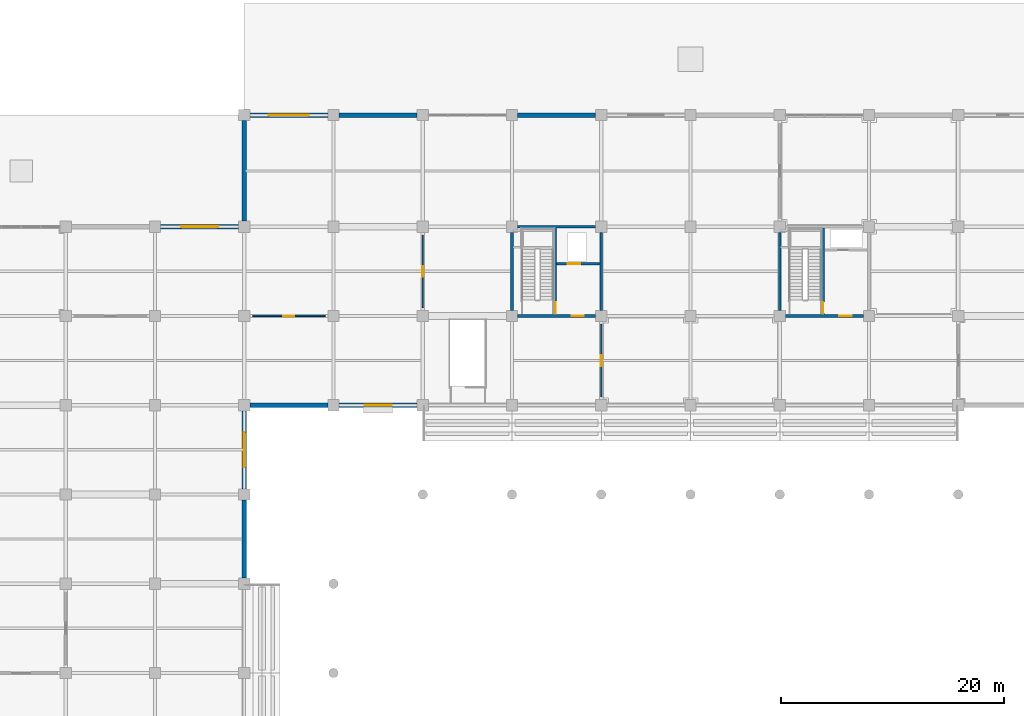
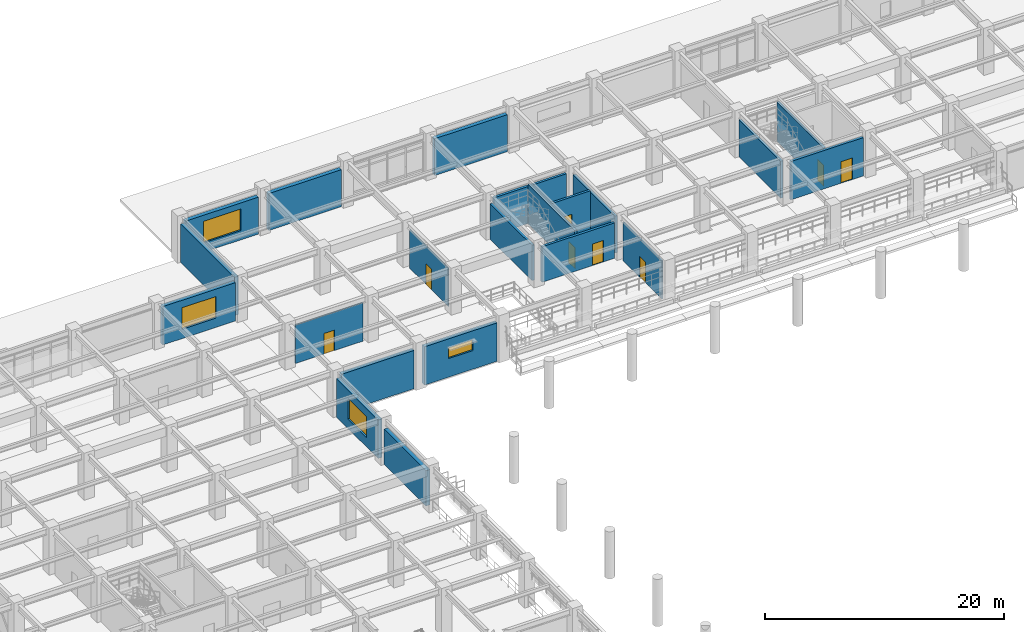
# One storey, part 82 of 117: 21 walls, 8 doors, 4 windows, 12 openings.
"""IFC4 building model written with IfcOpenShell, lengths in metres."""

from ifc_helpers import new_model, si_unit, direction, frame, frame_2d, origin, place, context, subcontext, project, spatial, rectangle, extrude, material, layer, layer_set, type_object, element, fill, save


model = new_model("IFC4")

# Units and contexts
model_context = context("Model", 3, precision=1e-05, world=origin(), true_north=direction((0.0, 1.0)))
body_context = subcontext(model_context, "Body", "Model", "MODEL_VIEW")
ifc_project = project(units=[si_unit("LENGTHUNIT", "METRE"), si_unit("AREAUNIT", "SQUARE_METRE"), si_unit("VOLUMEUNIT", "CUBIC_METRE"), si_unit("PLANEANGLEUNIT", "RADIAN"), si_unit("MASSUNIT", "GRAM", prefix="KILO")], contexts=[model_context])

# Site, building, storey
site_placement = place(None, origin())
site = spatial("IfcSite", under=ifc_project, at=site_placement, CompositionType="ELEMENT")
building_placement = place(site_placement, origin())
building = spatial("IfcBuilding", under=site, at=building_placement, Name="Haebicheon Civic Stadium", CompositionType="ELEMENT")
storey_placement = place(building_placement, frame((0.0, 0.0, 4.800048828125)))
storey = spatial("IfcBuildingStorey", under=building, at=storey_placement, Name="L02", CompositionType="ELEMENT", Elevation=4.800048828125)

# Wall, opening, door
ifc_material_1 = material(Name="Concrete C40/50", Category="concrete")
ifc_layer_1 = layer(ifc_material_1, 0.239990234375, Name="Concrete C40/50")
ifc_layer_set_1 = layer_set([ifc_layer_1], Name="Concrete C40/50")
wall_type_1 = type_object("IfcWallType", Name="CW-SHR-240", PredefinedType="SHEAR", material=ifc_layer_set_1)
wall_1_placement = place(storey_placement, frame((88.5, 160.0, 0.0), z_axis=(0.0, 0.0, 1.0), x_axis=(1.0, 0.0, 0.0)))
wall_1 = element("IfcWall", 1, at=wall_1_placement, inside=storey, type_object=wall_type_1, material=ifc_layer_set_1, Name="KC-08 L02 south core shear wall", PredefinedType="SHEAR", context=body_context, shape_type="SweptSolid", body=[
    extrude(rectangle(XDim=7.0, YDim=0.239990234375, at=frame_2d((3.5, 0.0))), origin(), (0.0, 0.0, 1.0), 3.60986328125),
])
opening_1_placement = place(wall_1_placement, frame((4.85009765625, 0.0, 0.0)))
opening_1 = element("IfcOpeningElement", 2, at=opening_1_placement, cuts=wall_1, Name="Opening D-L02-KC-08-LOB", PredefinedType="OPENING", context=body_context, shape_type="SweptSolid", body=[
    extrude(rectangle(XDim=1.10009765625, YDim=2.199951171875, at=frame_2d((0.550048828125, 1.10009765625))), frame((0.0, 0.1298828125, 0.0), z_axis=(0.0, -1.0, 0.0), x_axis=(1.0, 0.0, 0.0)), (0.0, 0.0, 1.0), 0.260009765625),
])
ifc_material_2 = material(Name="Galvanised painted steel SM355", Category="steel")
door_type_1 = type_object("IfcDoorType", Name="ID-FD-1100", OperationType="NOTDEFINED", PredefinedType="DOOR", material=ifc_material_2)
door_1_placement = place(opening_1_placement, origin())
door_1 = element("IfcDoor", 3, at=door_1_placement, inside=storey, type_object=door_type_1, material=ifc_material_2, Name="L02 KC-08 lobby fire door", OperationType="SINGLE_SWING_LEFT", OverallHeight=2.199951171875, OverallWidth=1.10009765625, PredefinedType="DOOR", context=body_context, shape_type="SweptSolid", body=[
    extrude(rectangle(XDim=1.10009765625, YDim=2.199951171875, at=frame_2d((0.550048828125, 1.10009765625))), frame((0.0, 0.02490234375, 0.0), z_axis=(0.0, -1.0, 0.0), x_axis=(1.0, 0.0, 0.0)), (0.0, 0.0, 1.0), 0.050048828125),
])
fill(opening_1, door_1)

# Walls
wall_2_placement = place(storey_placement, frame((88.5, 168.0, 0.0), z_axis=(0.0, 0.0, 1.0), x_axis=(1.0, 0.0, 0.0)))
element("IfcWall", 4, at=wall_2_placement, inside=storey, type_object=wall_type_1, material=ifc_layer_set_1, Name="KC-08 L02 north core shear wall", PredefinedType="SHEAR", context=body_context, shape_type="SweptSolid", body=[
    extrude(rectangle(XDim=7.0, YDim=0.239990234375, at=frame_2d((3.5, 0.0))), origin(), (0.0, 0.0, 1.0), 3.77001953125),
])
wall_3_placement = place(storey_placement, frame((88.0, 160.5, 0.0), z_axis=(0.0, 0.0, 1.0), x_axis=(0.0, 1.0, 0.0)))
element("IfcWall", 5, at=wall_3_placement, inside=storey, type_object=wall_type_1, material=ifc_layer_set_1, Name="KC-08 L02 west core shear wall", PredefinedType="SHEAR", context=body_context, shape_type="SweptSolid", body=[
    extrude(rectangle(XDim=7.0, YDim=0.239990234375, at=frame_2d((3.5, 0.0))), origin(), (0.0, 0.0, 1.0), 3.60986328125),
])
wall_4_placement = place(storey_placement, frame((96.0, 160.5, 0.0), z_axis=(0.0, 0.0, 1.0), x_axis=(0.0, 1.0, 0.0)))
element("IfcWall", 6, at=wall_4_placement, inside=storey, type_object=wall_type_1, material=ifc_layer_set_1, Name="KC-08 L02 east core shear wall", PredefinedType="SHEAR", context=body_context, shape_type="SweptSolid", body=[
    extrude(rectangle(XDim=7.0, YDim=0.239990234375, at=frame_2d((3.5, 0.0))), origin(), (0.0, 0.0, 1.0), 3.77001953125),
])

# Wall, opening, door
wall_5_placement = place(storey_placement, frame((91.8798828125, 160.1201171875, 0.0), z_axis=(0.0, 0.0, 1.0), x_axis=(0.0, 1.0, 0.0)))
wall_5 = element("IfcWall", 7, at=wall_5_placement, inside=storey, type_object=wall_type_1, material=ifc_layer_set_1, Name="KC-08 L02 stair-lobby dividing shear wall", PredefinedType="SHEAR", context=body_context, shape_type="SweptSolid", body=[
    extrude(rectangle(XDim=7.759765625, YDim=0.239990234375, at=frame_2d((3.8798828125, 0.0))), origin(), (0.0, 0.0, 1.0), 4.010009765625),
])
opening_2_placement = place(wall_5_placement, frame((0.080078125, 0.0, 0.0)))
opening_2 = element("IfcOpeningElement", 8, at=opening_2_placement, cuts=wall_5, Name="Opening D-L02-KC-08-STR", PredefinedType="OPENING", context=body_context, shape_type="SweptSolid", body=[
    extrude(rectangle(XDim=1.050048828125, YDim=2.14990234375, at=frame_2d((0.52490234375, 1.074951171875))), frame((0.0, 0.1298828125, 0.0), z_axis=(0.0, -1.0, 0.0), x_axis=(1.0, 0.0, 0.0)), (0.0, 0.0, 1.0), 0.260009765625),
])
ifc_material_3 = material(Name="Galvanised painted steel SM355", Category="steel")
door_type_2 = type_object("IfcDoorType", Name="ID-FD-1050", OperationType="NOTDEFINED", PredefinedType="DOOR", material=ifc_material_3)
door_2_placement = place(opening_2_placement, origin())
door_2 = element("IfcDoor", 9, at=door_2_placement, inside=storey, type_object=door_type_2, material=ifc_material_3, Name="L02 ST-08 stairwell escape door", OperationType="SINGLE_SWING_RIGHT", OverallHeight=2.14990234375, OverallWidth=1.050048828125, PredefinedType="DOOR", context=body_context, shape_type="SweptSolid", body=[
    extrude(rectangle(XDim=1.050048828125, YDim=2.14990234375, at=frame_2d((0.52490234375, 1.074951171875))), frame((0.0, 0.02490234375, 0.0), z_axis=(0.0, -1.0, 0.0), x_axis=(1.0, 0.0, 0.0)), (0.0, 0.0, 1.0), 0.050048828125),
])
fill(opening_2, door_2)

wall_6_placement = place(storey_placement, frame((92.0, 164.679931640625, 0.0), z_axis=(0.0, 0.0, 1.0), x_axis=(1.0, 0.0, 0.0)))
wall_6 = element("IfcWall", 10, at=wall_6_placement, inside=storey, type_object=wall_type_1, material=ifc_layer_set_1, Name="KC-08 L02 lift shaft front wall", PredefinedType="SHEAR", context=body_context, shape_type="SweptSolid", body=[
    extrude(rectangle(XDim=3.8798828125, YDim=0.239990234375, at=frame_2d((1.93994140625, 0.0))), origin(), (0.0, 0.0, 1.0), 3.909912109375),
])
opening_3_placement = place(wall_6_placement, frame((1.0, 0.0, 0.0)))
opening_3 = element("IfcOpeningElement", 11, at=opening_3_placement, cuts=wall_6, Name="Opening LD-06-L02", PredefinedType="OPENING", context=body_context, shape_type="SweptSolid", body=[
    extrude(rectangle(XDim=1.10009765625, YDim=2.14990234375, at=frame_2d((0.550048828125, 1.074951171875))), frame((0.0, 0.1298828125, 0.0), z_axis=(0.0, -1.0, 0.0), x_axis=(1.0, 0.0, 0.0)), (0.0, 0.0, 1.0), 0.260009765625),
])
ifc_material_4 = material(Name="Stainless steel 316", Category="steel")
door_type_3 = type_object("IfcDoorType", Name="ID-LD-1100", OperationType="NOTDEFINED", PredefinedType="DOOR", material=ifc_material_4)
door_3_placement = place(opening_3_placement, origin())
door_3 = element("IfcDoor", 12, at=door_3_placement, inside=storey, type_object=door_type_3, material=ifc_material_4, Name="LF-06 lift landing sliding door L02", OperationType="SLIDING_TO_LEFT", OverallHeight=2.14990234375, OverallWidth=1.10009765625, PredefinedType="DOOR", context=body_context, shape_type="SweptSolid", body=[
    extrude(rectangle(XDim=1.10009765625, YDim=2.14990234375, at=frame_2d((0.550048828125, 1.074951171875))), frame((0.0, 0.02490234375, 0.0), z_axis=(0.0, -1.0, 0.0), x_axis=(1.0, 0.0, 0.0)), (0.0, 0.0, 1.0), 0.050048828125),
])
fill(opening_3, door_3)

wall_7_placement = place(storey_placement, frame((112.5, 160.0, 0.0), z_axis=(0.0, 0.0, 1.0), x_axis=(1.0, 0.0, 0.0)))
wall_7 = element("IfcWall", 13, at=wall_7_placement, inside=storey, type_object=wall_type_1, material=ifc_layer_set_1, Name="KC-09 L02 south core shear wall", PredefinedType="SHEAR", context=body_context, shape_type="SweptSolid", body=[
    extrude(rectangle(XDim=7.0, YDim=0.239990234375, at=frame_2d((3.5, 0.0))), origin(), (0.0, 0.0, 1.0), 3.909912109375),
])
opening_4_placement = place(wall_7_placement, frame((4.85009765625, 0.0, 0.0)))
opening_4 = element("IfcOpeningElement", 14, at=opening_4_placement, cuts=wall_7, Name="Opening D-L02-KC-09-LOB", PredefinedType="OPENING", context=body_context, shape_type="SweptSolid", body=[
    extrude(rectangle(XDim=1.10009765625, YDim=2.199951171875, at=frame_2d((0.550048828125, 1.10009765625))), frame((0.0, 0.1298828125, 0.0), z_axis=(0.0, -1.0, 0.0), x_axis=(1.0, 0.0, 0.0)), (0.0, 0.0, 1.0), 0.260009765625),
])
door_4_placement = place(opening_4_placement, origin())
door_4 = element("IfcDoor", 15, at=door_4_placement, inside=storey, type_object=door_type_1, material=ifc_material_2, Name="L02 KC-09 lobby fire door", OperationType="SINGLE_SWING_RIGHT", OverallHeight=2.199951171875, OverallWidth=1.10009765625, PredefinedType="DOOR", context=body_context, shape_type="SweptSolid", body=[
    extrude(rectangle(XDim=1.10009765625, YDim=2.199951171875, at=frame_2d((0.550048828125, 1.10009765625))), frame((0.0, 0.02490234375, 0.0), z_axis=(0.0, -1.0, 0.0), x_axis=(1.0, 0.0, 0.0)), (0.0, 0.0, 1.0), 0.050048828125),
])
fill(opening_4, door_4)

# Wall
wall_8_placement = place(storey_placement, frame((112.0, 160.5, 0.0), z_axis=(0.0, 0.0, 1.0), x_axis=(0.0, 1.0, 0.0)))
element("IfcWall", 16, at=wall_8_placement, inside=storey, type_object=wall_type_1, material=ifc_layer_set_1, Name="KC-09 L02 west core shear wall", PredefinedType="SHEAR", context=body_context, shape_type="SweptSolid", body=[
    extrude(rectangle(XDim=7.0, YDim=0.239990234375, at=frame_2d((3.5, 0.0))), origin(), (0.0, 0.0, 1.0), 3.77001953125),
])

# Wall, opening, door
wall_9_placement = place(storey_placement, frame((115.8798828125, 160.1201171875, 0.0), z_axis=(0.0, 0.0, 1.0), x_axis=(0.0, 1.0, 0.0)))
wall_9 = element("IfcWall", 17, at=wall_9_placement, inside=storey, type_object=wall_type_1, material=ifc_layer_set_1, Name="KC-09 L02 stair-lobby dividing shear wall", PredefinedType="SHEAR", context=body_context, shape_type="SweptSolid", body=[
    extrude(rectangle(XDim=7.759765625, YDim=0.239990234375, at=frame_2d((3.8798828125, 0.0))), origin(), (0.0, 0.0, 1.0), 4.010009765625),
])
opening_5_placement = place(wall_9_placement, frame((0.080078125, 0.0, 0.0)))
opening_5 = element("IfcOpeningElement", 18, at=opening_5_placement, cuts=wall_9, Name="Opening D-L02-KC-09-STR", PredefinedType="OPENING", context=body_context, shape_type="SweptSolid", body=[
    extrude(rectangle(XDim=1.050048828125, YDim=2.14990234375, at=frame_2d((0.52490234375, 1.074951171875))), frame((0.0, 0.1298828125, 0.0), z_axis=(0.0, -1.0, 0.0), x_axis=(1.0, 0.0, 0.0)), (0.0, 0.0, 1.0), 0.260009765625),
])
door_5_placement = place(opening_5_placement, origin())
door_5 = element("IfcDoor", 19, at=door_5_placement, inside=storey, type_object=door_type_2, material=ifc_material_3, Name="L02 ST-09 stairwell escape door", OperationType="SINGLE_SWING_LEFT", OverallHeight=2.14990234375, OverallWidth=1.050048828125, PredefinedType="DOOR", context=body_context, shape_type="SweptSolid", body=[
    extrude(rectangle(XDim=1.050048828125, YDim=2.14990234375, at=frame_2d((0.52490234375, 1.074951171875))), frame((0.0, 0.02490234375, 0.0), z_axis=(0.0, -1.0, 0.0), x_axis=(1.0, 0.0, 0.0)), (0.0, 0.0, 1.0), 0.050048828125),
])
fill(opening_5, door_5)

# Wall
ifc_material_5 = material(Name="Concrete C40/50", Category="concrete")
ifc_layer_2 = layer(ifc_material_5, 0.3798828125, Name="Concrete C40/50")
ifc_layer_set_2 = layer_set([ifc_layer_2], Name="Concrete C40/50")
wall_type_2 = type_object("IfcWallType", Name="EW-BM-380", PredefinedType="SOLIDWALL", material=ifc_layer_set_2)
wall_10_placement = place(storey_placement, frame((64.0, 136.5, 0.0), z_axis=(0.0, 0.0, 1.0), x_axis=(0.0, 1.0, 0.0)))
element("IfcWall", 20, at=wall_10_placement, inside=storey, type_object=wall_type_2, material=ifc_layer_set_2, Name="L02 board-marked concrete facade wall 08-17-E", PredefinedType="SOLIDWALL", context=body_context, shape_type="SweptSolid", body=[
    extrude(rectangle(XDim=7.0, YDim=0.3798828125, at=frame_2d((3.5, 0.0))), origin(), (0.0, 0.0, 1.0), 3.60986328125),
])

# Wall, opening, window
wall_11_placement = place(storey_placement, frame((64.0, 144.5, 0.0), z_axis=(0.0, 0.0, 1.0), x_axis=(0.0, 1.0, 0.0)))
wall_11 = element("IfcWall", 21, at=wall_11_placement, inside=storey, type_object=wall_type_2, material=ifc_layer_set_2, Name="L02 board-marked concrete facade wall 08-18-E", PredefinedType="SOLIDWALL", context=body_context, shape_type="SweptSolid", body=[
    extrude(rectangle(XDim=7.0, YDim=0.3798828125, at=frame_2d((3.5, 0.0))), origin(), (0.0, 0.0, 1.0), 3.909912109375),
])
opening_6_placement = place(wall_11_placement, frame((1.925048828125, 0.0, 0.949951171875)))
opening_6 = element("IfcOpeningElement", 22, at=opening_6_placement, cuts=wall_11, Name="Opening WIN-315x215", PredefinedType="OPENING", context=body_context, shape_type="SweptSolid", body=[
    extrude(rectangle(XDim=3.14990234375, YDim=2.14990234375, at=frame_2d((1.574951171875, 1.074951171875))), frame((0.0, 0.199951171875, 0.0), z_axis=(0.0, -1.0, 0.0), x_axis=(1.0, 0.0, 0.0)), (0.0, 0.0, 1.0), 0.39990234375),
])
ifc_material_6 = material(Name="Anodised aluminium and laminated glass", Category="aluminium")
window_type_1 = type_object("IfcWindowType", Name="WIN-315x215", PartitioningType="SINGLE_PANEL", PredefinedType="WINDOW", material=ifc_material_6)
window_1_placement = place(opening_6_placement, origin())
window_1 = element("IfcWindow", 23, at=window_1_placement, inside=storey, type_object=window_type_1, material=ifc_material_6, Name="L02 facade window 038", OverallHeight=2.14990234375, OverallWidth=3.14990234375, PartitioningType="SINGLE_PANEL", PredefinedType="WINDOW", context=body_context, shape_type="SweptSolid", body=[
    extrude(rectangle(XDim=3.14990234375, YDim=2.14990234375, at=frame_2d((1.574951171875, 1.074951171875))), frame((0.0, 0.030029296875, 0.0), z_axis=(0.0, -1.0, 0.0), x_axis=(1.0, 0.0, 0.0)), (0.0, 0.0, 1.0), 0.06005859375),
])
fill(opening_6, window_1)

wall_12_placement = place(storey_placement, frame((56.5, 168.0, 0.0), z_axis=(0.0, 0.0, 1.0), x_axis=(1.0, 0.0, 0.0)))
wall_12 = element("IfcWall", 24, at=wall_12_placement, inside=storey, type_object=wall_type_2, material=ifc_layer_set_2, Name="L02 board-marked concrete facade wall 07-21-N", PredefinedType="SOLIDWALL", context=body_context, shape_type="SweptSolid", body=[
    extrude(rectangle(XDim=7.0, YDim=0.3798828125, at=frame_2d((3.5, 0.0))), origin(), (0.0, 0.0, 1.0), 3.909912109375),
])
opening_7_placement = place(wall_12_placement, frame((1.85009765625, 0.0, 0.949951171875)))
opening_7 = element("IfcOpeningElement", 25, at=opening_7_placement, cuts=wall_12, Name="Opening WIN-330x220", PredefinedType="OPENING", context=body_context, shape_type="SweptSolid", body=[
    extrude(rectangle(XDim=3.300048828125, YDim=2.199951171875, at=frame_2d((1.64990234375, 1.10009765625))), frame((0.0, 0.199951171875, 0.0), z_axis=(0.0, -1.0, 0.0), x_axis=(1.0, 0.0, 0.0)), (0.0, 0.0, 1.0), 0.39990234375),
])
ifc_material_7 = material(Name="Anodised aluminium and laminated glass", Category="aluminium")
window_type_2 = type_object("IfcWindowType", Name="WIN-330x220", PartitioningType="SINGLE_PANEL", PredefinedType="WINDOW", material=ifc_material_7)
window_2_placement = place(opening_7_placement, origin())
window_2 = element("IfcWindow", 26, at=window_2_placement, inside=storey, type_object=window_type_2, material=ifc_material_7, Name="L02 facade window 039", OverallHeight=2.199951171875, OverallWidth=3.300048828125, PartitioningType="SINGLE_PANEL", PredefinedType="WINDOW", context=body_context, shape_type="SweptSolid", body=[
    extrude(rectangle(XDim=3.300048828125, YDim=2.199951171875, at=frame_2d((1.64990234375, 1.10009765625))), frame((0.0, 0.030029296875, 0.0), z_axis=(0.0, -1.0, 0.0), x_axis=(1.0, 0.0, 0.0)), (0.0, 0.0, 1.0), 0.06005859375),
])
fill(opening_7, window_2)

# Wall
wall_13_placement = place(storey_placement, frame((64.5, 152.0, 0.0), z_axis=(0.0, 0.0, 1.0), x_axis=(1.0, 0.0, 0.0)))
element("IfcWall", 27, at=wall_13_placement, inside=storey, type_object=wall_type_2, material=ifc_layer_set_2, Name="L02 board-marked concrete facade wall 08-19-S", PredefinedType="SOLIDWALL", context=body_context, shape_type="SweptSolid", body=[
    extrude(rectangle(XDim=7.0, YDim=0.3798828125, at=frame_2d((3.5, 0.0))), origin(), (0.0, 0.0, 1.0), 3.909912109375),
])

# Wall, opening, window
wall_14_placement = place(storey_placement, frame((64.5, 178.0, 0.0), z_axis=(0.0, 0.0, 1.0), x_axis=(1.0, 0.0, 0.0)))
wall_14 = element("IfcWall", 28, at=wall_14_placement, inside=storey, type_object=wall_type_2, material=ifc_layer_set_2, Name="L02 board-marked concrete facade wall 08-22-N", PredefinedType="SOLIDWALL", context=body_context, shape_type="SweptSolid", body=[
    extrude(rectangle(XDim=7.0, YDim=0.3798828125, at=frame_2d((3.5, 0.0))), origin(), (0.0, 0.0, 1.0), 3.77001953125),
])
opening_8_placement = place(wall_14_placement, frame((1.699951171875, 0.0, 0.949951171875)))
opening_8 = element("IfcOpeningElement", 29, at=opening_8_placement, cuts=wall_14, Name="Opening WIN-360x220", PredefinedType="OPENING", context=body_context, shape_type="SweptSolid", body=[
    extrude(rectangle(XDim=3.60009765625, YDim=2.199951171875, at=frame_2d((1.800048828125, 1.10009765625))), frame((0.0, 0.199951171875, 0.0), z_axis=(0.0, -1.0, 0.0), x_axis=(1.0, 0.0, 0.0)), (0.0, 0.0, 1.0), 0.39990234375),
])
ifc_material_8 = material(Name="Anodised aluminium and laminated glass", Category="aluminium")
window_type_3 = type_object("IfcWindowType", Name="WIN-360x220", PartitioningType="SINGLE_PANEL", PredefinedType="WINDOW", material=ifc_material_8)
window_3_placement = place(opening_8_placement, origin())
window_3 = element("IfcWindow", 30, at=window_3_placement, inside=storey, type_object=window_type_3, material=ifc_material_8, Name="L02 facade window 041", OverallHeight=2.199951171875, OverallWidth=3.60009765625, PartitioningType="SINGLE_PANEL", PredefinedType="WINDOW", context=body_context, shape_type="SweptSolid", body=[
    extrude(rectangle(XDim=3.60009765625, YDim=2.199951171875, at=frame_2d((1.800048828125, 1.10009765625))), frame((0.0, 0.030029296875, 0.0), z_axis=(0.0, -1.0, 0.0), x_axis=(1.0, 0.0, 0.0)), (0.0, 0.0, 1.0), 0.06005859375),
])
fill(opening_8, window_3)

# Wall
wall_15_placement = place(storey_placement, frame((64.0, 168.5, 0.0), z_axis=(0.0, 0.0, 1.0), x_axis=(0.0, 1.0, 0.0)))
element("IfcWall", 31, at=wall_15_placement, inside=storey, type_object=wall_type_2, material=ifc_layer_set_2, Name="L02 board-marked concrete facade wall 08-21-W", PredefinedType="SOLIDWALL", context=body_context, shape_type="SweptSolid", body=[
    extrude(rectangle(XDim=9.0, YDim=0.3798828125, at=frame_2d((4.5, 0.0))), origin(), (0.0, 0.0, 1.0), 3.909912109375),
])

# Wall, opening, window
wall_16_placement = place(storey_placement, frame((72.5, 152.0, 0.0), z_axis=(0.0, 0.0, 1.0), x_axis=(1.0, 0.0, 0.0)))
wall_16 = element("IfcWall", 32, at=wall_16_placement, inside=storey, type_object=wall_type_2, material=ifc_layer_set_2, Name="L02 board-marked concrete facade wall 09-19-S", PredefinedType="SOLIDWALL", context=body_context, shape_type="SweptSolid", body=[
    extrude(rectangle(XDim=7.0, YDim=0.3798828125, at=frame_2d((3.5, 0.0))), origin(), (0.0, 0.0, 1.0), 3.909912109375),
])
opening_9_placement = place(wall_16_placement, frame((2.300048828125, 0.0, 1.89990234375)))
opening_9 = element("IfcOpeningElement", 33, at=opening_9_placement, cuts=wall_16, Name="Opening WIN-240x110", PredefinedType="OPENING", context=body_context, shape_type="SweptSolid", body=[
    extrude(rectangle(XDim=2.39990234375, YDim=1.10009765625, at=frame_2d((1.199951171875, 0.550048828125))), frame((0.0, 0.199951171875, 0.0), z_axis=(0.0, -1.0, 0.0), x_axis=(1.0, 0.0, 0.0)), (0.0, 0.0, 1.0), 0.39990234375),
])
ifc_material_9 = material(Name="Anodised aluminium and laminated glass", Category="aluminium")
window_type_4 = type_object("IfcWindowType", Name="WIN-240x110", PartitioningType="SINGLE_PANEL", PredefinedType="LIGHTDOME", material=ifc_material_9)
window_4_placement = place(opening_9_placement, origin())
window_4 = element("IfcWindow", 34, at=window_4_placement, inside=storey, type_object=window_type_4, material=ifc_material_9, Name="L02 facade window 042", OverallHeight=1.10009765625, OverallWidth=2.39990234375, PartitioningType="SINGLE_PANEL", PredefinedType="LIGHTDOME", context=body_context, shape_type="SweptSolid", body=[
    extrude(rectangle(XDim=2.39990234375, YDim=1.10009765625, at=frame_2d((1.199951171875, 0.550048828125))), frame((0.0, 0.030029296875, 0.0), z_axis=(0.0, -1.0, 0.0), x_axis=(1.0, 0.0, 0.0)), (0.0, 0.0, 1.0), 0.06005859375),
])
fill(opening_9, window_4)

# Walls
for number, where, z_axis, x_axis, name in (
    (35, (72.5, 178.0, 0.0), (0.0, 0.0, 1.0), (1.0, 0.0, 0.0), "L02 board-marked concrete facade wall 09-22-N"),
    (36, (88.5, 178.0, 0.0), (0.0, 0.0, 1.0), (1.0, 0.0, 0.0), "L02 board-marked concrete facade wall 11-22-N"),
):
    element("IfcWall", number, at=place(storey_placement, frame(where, z_axis=z_axis, x_axis=x_axis)), inside=storey, type_object=wall_type_2, material=ifc_layer_set_2, Name=name, PredefinedType="SOLIDWALL", context=body_context, shape_type="SweptSolid", body=[
        extrude(rectangle(XDim=7.0, YDim=0.3798828125, at=frame_2d((3.5, 0.0))), origin(), (0.0, 0.0, 1.0), 3.77001953125),
    ])

# Wall, opening, door
ifc_material_10 = material(Name="Anodised aluminium and laminated glass", Category="aluminium")
ifc_layer_3 = layer(ifc_material_10, 0.10009765625, Name="Anodised aluminium and laminated glass")
ifc_layer_set_3 = layer_set([ifc_layer_3], Name="Anodised aluminium and laminated glass")
wall_type_3 = type_object("IfcWallType", Name="IW-PRT-100", PredefinedType="PARTITIONING", material=ifc_layer_set_3)
wall_17_placement = place(storey_placement, frame((80.0, 160.75, 0.0), z_axis=(0.0, 0.0, 1.0), x_axis=(0.0, 1.0, 0.0)))
wall_17 = element("IfcWall", 37, at=wall_17_placement, inside=storey, type_object=wall_type_3, material=ifc_layer_set_3, Name="L02 Food and Beverage Kiosk partition wall", PredefinedType="PARTITIONING", context=body_context, shape_type="SweptSolid", body=[
    extrude(rectangle(XDim=6.5, YDim=0.10009765625, at=frame_2d((3.25, 0.0))), origin(), (0.0, 0.0, 1.0), 3.909912109375),
])
opening_10_placement = place(wall_17_placement, frame((2.77490234375, 0.0, 0.0)))
opening_10 = element("IfcOpeningElement", 38, at=opening_10_placement, cuts=wall_17, Name="Opening D-L02-211", PredefinedType="OPENING", context=body_context, shape_type="SweptSolid", body=[
    extrude(rectangle(XDim=0.949951171875, YDim=2.10009765625, at=frame_2d((0.47509765625, 1.050048828125))), frame((0.0, 0.06005859375, 0.0), z_axis=(0.0, -1.0, 0.0), x_axis=(1.0, 0.0, 0.0)), (0.0, 0.0, 1.0), 0.1201171875),
])
ifc_material_11 = material(Name="Engineered hardwood timber", Category="wood")
door_type_4 = type_object("IfcDoorType", Name="ID-RM-0950", OperationType="NOTDEFINED", PredefinedType="DOOR", material=ifc_material_11)
door_6_placement = place(opening_10_placement, origin())
door_6 = element("IfcDoor", 39, at=door_6_placement, inside=storey, type_object=door_type_4, material=ifc_material_11, Name="L02 Food and Beverage Kiosk entrance door D-L02-211", OperationType="SINGLE_SWING_LEFT", OverallHeight=2.10009765625, OverallWidth=0.949951171875, PredefinedType="DOOR", context=body_context, shape_type="SweptSolid", body=[
    extrude(rectangle(XDim=0.949951171875, YDim=2.10009765625, at=frame_2d((0.47509765625, 1.050048828125))), frame((0.0, 0.02490234375, 0.0), z_axis=(0.0, -1.0, 0.0), x_axis=(1.0, 0.0, 0.0)), (0.0, 0.0, 1.0), 0.050048828125),
])
fill(opening_10, door_6)

ifc_material_12 = material(Name="Gypsum plasterboard on steel studs", Category="gypsum")
ifc_layer_4 = layer(ifc_material_12, 0.1298828125, Name="Gypsum plasterboard on steel studs")
ifc_layer_set_4 = layer_set([ifc_layer_4], Name="Gypsum plasterboard on steel studs")
wall_type_4 = type_object("IfcWallType", Name="IW-PRT-130", PredefinedType="PARTITIONING", material=ifc_layer_set_4)
wall_18_placement = place(storey_placement, frame((64.75, 160.0, 0.0), z_axis=(0.0, 0.0, 1.0), x_axis=(1.0, 0.0, 0.0)))
wall_18 = element("IfcWall", 40, at=wall_18_placement, inside=storey, type_object=wall_type_4, material=ifc_layer_set_4, Name="L02 Food and Beverage Kiosk partition wall", PredefinedType="PARTITIONING", context=body_context, shape_type="SweptSolid", body=[
    extrude(rectangle(XDim=6.5, YDim=0.1298828125, at=frame_2d((3.25, 0.0))), origin(), (0.0, 0.0, 1.0), 3.909912109375),
])
opening_11_placement = place(wall_18_placement, frame((2.75, 0.0, 0.0)))
opening_11 = element("IfcOpeningElement", 41, at=opening_11_placement, cuts=wall_18, Name="Opening D-L02-208", PredefinedType="OPENING", context=body_context, shape_type="SweptSolid", body=[
    extrude(rectangle(XDim=1.0, YDim=2.10009765625, at=frame_2d((0.5, 1.050048828125))), frame((0.0, 0.074951171875, 0.0), z_axis=(0.0, -1.0, 0.0), x_axis=(1.0, 0.0, 0.0)), (0.0, 0.0, 1.0), 0.14990234375),
])
ifc_material_13 = material(Name="Engineered hardwood timber", Category="wood")
door_type_5 = type_object("IfcDoorType", Name="ID-RM-1000", OperationType="NOTDEFINED", PredefinedType="DOOR", material=ifc_material_13)
door_7_placement = place(opening_11_placement, origin())
door_7 = element("IfcDoor", 42, at=door_7_placement, inside=storey, type_object=door_type_5, material=ifc_material_13, Name="L02 Food and Beverage Kiosk entrance door D-L02-208", OperationType="SINGLE_SWING_RIGHT", OverallHeight=2.10009765625, OverallWidth=1.0, PredefinedType="DOOR", context=body_context, shape_type="SweptSolid", body=[
    extrude(rectangle(XDim=1.0, YDim=2.10009765625, at=frame_2d((0.5, 1.050048828125))), frame((0.0, 0.02490234375, 0.0), z_axis=(0.0, -1.0, 0.0), x_axis=(1.0, 0.0, 0.0)), (0.0, 0.0, 1.0), 0.050048828125),
])
fill(opening_11, door_7)

wall_19_placement = place(storey_placement, frame((96.0, 152.75, 0.0), z_axis=(0.0, 0.0, 1.0), x_axis=(0.0, 1.0, 0.0)))
wall_19 = element("IfcWall", 43, at=wall_19_placement, inside=storey, type_object=wall_type_4, material=ifc_layer_set_4, Name="L02 Merchandise Kiosk partition wall", PredefinedType="PARTITIONING", context=body_context, shape_type="SweptSolid", body=[
    extrude(rectangle(XDim=6.5, YDim=0.1298828125, at=frame_2d((3.25, 0.0))), origin(), (0.0, 0.0, 1.0), 3.909912109375),
])
opening_12_placement = place(wall_19_placement, frame((2.75, 0.0, 0.0)))
opening_12 = element("IfcOpeningElement", 44, at=opening_12_placement, cuts=wall_19, Name="Opening D-L02-212", PredefinedType="OPENING", context=body_context, shape_type="SweptSolid", body=[
    extrude(rectangle(XDim=1.0, YDim=2.10009765625, at=frame_2d((0.5, 1.050048828125))), frame((0.0, 0.074951171875, 0.0), z_axis=(0.0, -1.0, 0.0), x_axis=(1.0, 0.0, 0.0)), (0.0, 0.0, 1.0), 0.14990234375),
])
door_8_placement = place(opening_12_placement, origin())
door_8 = element("IfcDoor", 45, at=door_8_placement, inside=storey, type_object=door_type_5, material=ifc_material_13, Name="L02 Merchandise Kiosk entrance door D-L02-212", OperationType="SINGLE_SWING_RIGHT", OverallHeight=2.10009765625, OverallWidth=1.0, PredefinedType="DOOR", context=body_context, shape_type="SweptSolid", body=[
    extrude(rectangle(XDim=1.0, YDim=2.10009765625, at=frame_2d((0.5, 1.050048828125))), frame((0.0, 0.02490234375, 0.0), z_axis=(0.0, -1.0, 0.0), x_axis=(1.0, 0.0, 0.0)), (0.0, 0.0, 1.0), 0.050048828125),
])
fill(opening_12, door_8)

save(model, "model.ifc")
